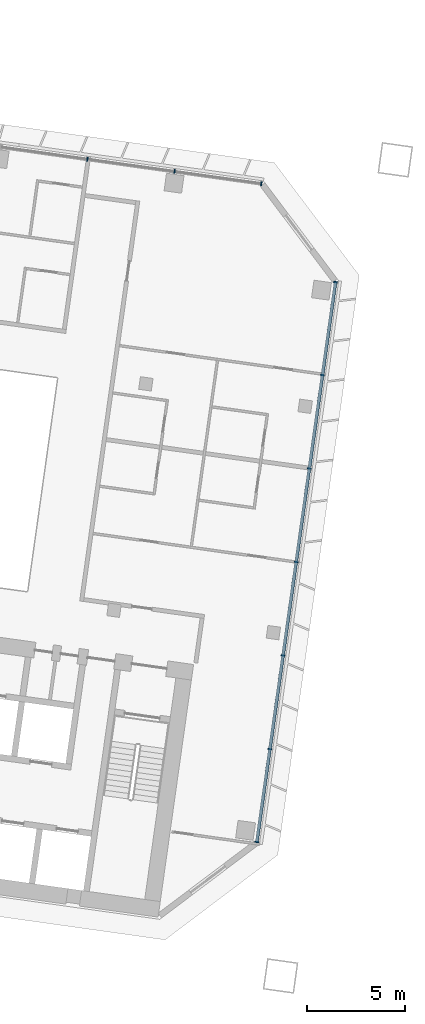
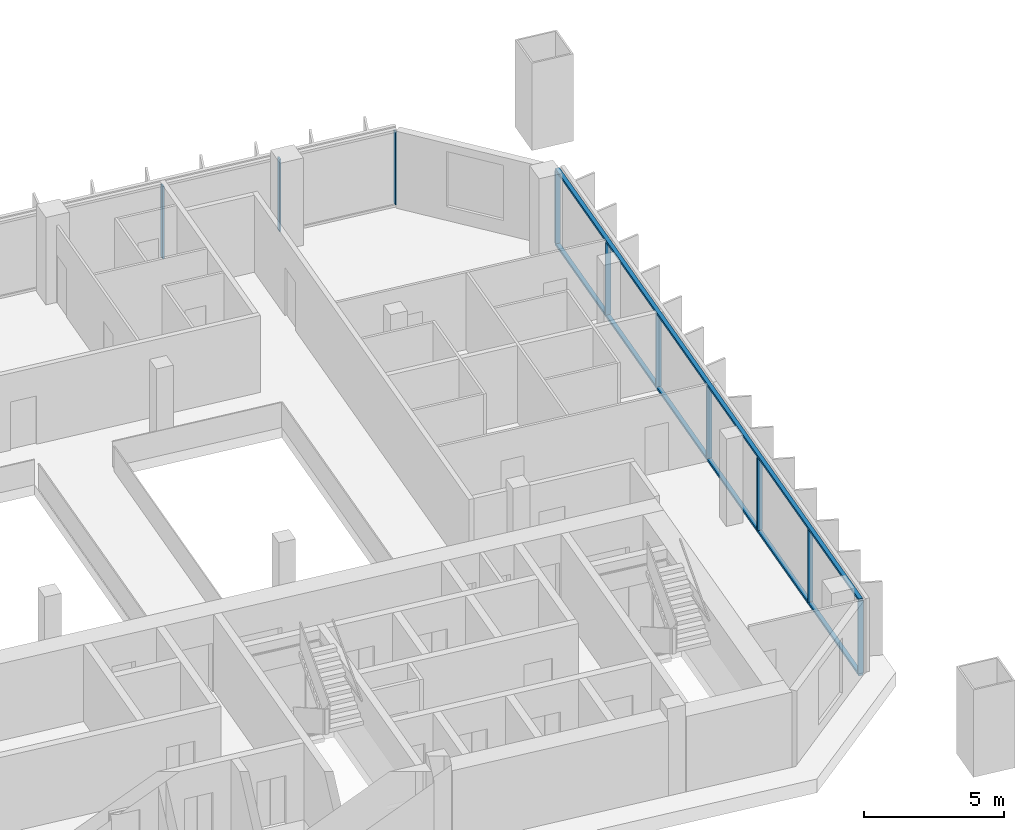
# One storey, part 9 of 33: 12 members, 2 elements without a shape of their own.
"""IFC4 building model written with IfcOpenShell, lengths in metres."""

from ifc_helpers import new_model, si_unit, direction, frame, origin, origin_2d, place, context, subcontext, project, spatial, rectangle, extrude, material, material_profile, profile_set, type_object, element, aggregate, save


model = new_model("IFC4")

# Units and contexts
model_context = context("Model", 3, precision=1e-05, world=origin(), true_north=direction((0.0, 1.0)))
body_context = subcontext(model_context, "Body", "Model", "MODEL_VIEW")
ifc_project = project(units=[si_unit("LENGTHUNIT", "METRE"), si_unit("AREAUNIT", "SQUARE_METRE"), si_unit("VOLUMEUNIT", "CUBIC_METRE"), si_unit("PLANEANGLEUNIT", "RADIAN"), si_unit("MASSUNIT", "GRAM", prefix="KILO")], contexts=[model_context])

# Site, building, storey
site_placement = place(None, origin())
site = spatial("IfcSite", under=ifc_project, at=site_placement, CompositionType="ELEMENT")
building_placement = place(site_placement, origin())
building = spatial("IfcBuilding", under=site, at=building_placement, Name="Mirante Cascada Hotel Towers", CompositionType="ELEMENT")
storey_placement = place(building_placement, frame((0.0, 0.0, 121.5)))
storey = spatial("IfcBuildingStorey", under=building, at=storey_placement, Name="L27", CompositionType="ELEMENT", Elevation=121.5)

# Curtain wall, members
ifc_material_1 = material(Name="Aluminium mullion and transom frame with clear laminated glass", Category="aluminium")
curtain_wall_type_1 = type_object("IfcCurtainWallType", Name="Ribbon curtain wall ECW1", PredefinedType="NOTDEFINED", material=ifc_material_1)
curtain_wall_1_placement = place(storey_placement, origin())
curtain_wall_1 = element("IfcCurtainWall", 1, at=curtain_wall_1_placement, inside=storey, type_object=curtain_wall_type_1, Name="Front ribbon wall T1 L27", PredefinedType="NOTDEFINED")
ifc_material_2 = material(Name="Anodised aluminium extrusion", Category="aluminium")
ifc_material_profile_1 = material_profile(ifc_material_2, rectangle(XDim=0.2, YDim=0.065, at=origin_2d()), Name="ECW1 MULLION 65x200")
ifc_profile_set_1 = profile_set([ifc_material_profile_1], Name="Anodised aluminium extrusion")
member_type_1 = type_object("IfcMemberType", Name="ECW1 mullion 65x200", PredefinedType="MULLION", material=ifc_profile_set_1)
member_1_placement = place(storey_placement, frame((-40.7892, 18.5516, 0.1), z_axis=(0.0, 0.0, 1.0), x_axis=(0.1391731, 0.9902681, 0.0)))
member_1 = element("IfcMember", 2, at=member_1_placement, type_object=member_type_1, Name="ECW1 mullion 13", PredefinedType="MULLION", context=body_context, shape_type="SweptSolid", body=[
    extrude(rectangle(XDim=0.2, YDim=0.065, at=origin_2d()), origin(), (0.0, 0.0, 1.0), 3.15),
])
member_2_placement = place(storey_placement, frame((-36.3417, 17.9265, 0.1), z_axis=(0.0, 0.0, 1.0), x_axis=(0.1391731, 0.9902681, 0.0)))
member_2 = element("IfcMember", 3, at=member_2_placement, type_object=member_type_1, Name="ECW1 mullion 14", PredefinedType="MULLION", context=body_context, shape_type="SweptSolid", body=[
    extrude(rectangle(XDim=0.2, YDim=0.065, at=origin_2d()), origin(), (0.0, 0.0, 1.0), 3.15),
])
member_3_placement = place(storey_placement, frame((-31.9265, 17.306, 0.1), z_axis=(0.0, 0.0, 1.0), x_axis=(0.1391731, 0.9902681, 0.0)))
member_3 = element("IfcMember", 4, at=member_3_placement, type_object=member_type_1, Name="ECW1 mullion 15", PredefinedType="MULLION", context=body_context, shape_type="SweptSolid", body=[
    extrude(rectangle(XDim=0.2, YDim=0.065, at=origin_2d()), origin(), (0.0, 0.0, 1.0), 3.15),
])
aggregate(curtain_wall_1, [member_1, member_2, member_3])

ifc_material_3 = material(Name="Aluminium mullion and transom frame with clear laminated glass", Category="aluminium")
curtain_wall_type_2 = type_object("IfcCurtainWallType", Name="End ribbon curtain wall ECW2", PredefinedType="NOTDEFINED", material=ifc_material_3)
curtain_wall_2_placement = place(storey_placement, origin())
curtain_wall_2 = element("IfcCurtainWall", 5, at=curtain_wall_2_placement, inside=storey, type_object=curtain_wall_type_2, Name="Inner end wall T1 L27", PredefinedType="NOTDEFINED")
ifc_material_4 = material(Name="Anodised aluminium extrusion", Category="aluminium")
ifc_material_profile_2 = material_profile(ifc_material_4, rectangle(XDim=0.2, YDim=0.065, at=origin_2d()), Name="ECW2 MULLION 65x200")
ifc_profile_set_2 = profile_set([ifc_material_profile_2], Name="Anodised aluminium extrusion")
member_type_2 = type_object("IfcMemberType", Name="ECW2 mullion 65x200", PredefinedType="MULLION", material=ifc_profile_set_2)
member_4_placement = place(storey_placement, frame((-28.1437, 12.2861, 0.1), z_axis=(0.0, 0.0, 1.0), x_axis=(0.9902681, -0.1391731, 0.0)))
member_4 = element("IfcMember", 6, at=member_4_placement, type_object=member_type_2, Name="ECW2 mullion 1", PredefinedType="MULLION", context=body_context, shape_type="SweptSolid", body=[
    extrude(rectangle(XDim=0.2, YDim=0.065, at=origin_2d()), origin(), (0.0, 0.0, 1.0), 3.15),
])
member_5_placement = place(storey_placement, frame((-28.809, 7.5524, 0.1), z_axis=(0.0, 0.0, 1.0), x_axis=(0.9902681, -0.1391731, 0.0)))
member_5 = element("IfcMember", 7, at=member_5_placement, type_object=member_type_2, Name="ECW2 mullion 2", PredefinedType="MULLION", context=body_context, shape_type="SweptSolid", body=[
    extrude(rectangle(XDim=0.2, YDim=0.065, at=origin_2d()), origin(), (0.0, 0.0, 1.0), 3.15),
])
member_6_placement = place(storey_placement, frame((-29.4788, 2.7867, 0.1), z_axis=(0.0, 0.0, 1.0), x_axis=(0.9902681, -0.1391731, 0.0)))
member_6 = element("IfcMember", 8, at=member_6_placement, type_object=member_type_2, Name="ECW2 mullion 3", PredefinedType="MULLION", context=body_context, shape_type="SweptSolid", body=[
    extrude(rectangle(XDim=0.2, YDim=0.065, at=origin_2d()), origin(), (0.0, 0.0, 1.0), 3.15),
])
member_7_placement = place(storey_placement, frame((-30.1485, -1.9791, 0.1), z_axis=(0.0, 0.0, 1.0), x_axis=(0.9902681, -0.1391731, 0.0)))
member_7 = element("IfcMember", 9, at=member_7_placement, type_object=member_type_2, Name="ECW2 mullion 4", PredefinedType="MULLION", context=body_context, shape_type="SweptSolid", body=[
    extrude(rectangle(XDim=0.2, YDim=0.065, at=origin_2d()), origin(), (0.0, 0.0, 1.0), 3.15),
])
member_8_placement = place(storey_placement, frame((-30.8183, -6.7449, 0.1), z_axis=(0.0, 0.0, 1.0), x_axis=(0.9902681, -0.1391731, 0.0)))
member_8 = element("IfcMember", 10, at=member_8_placement, type_object=member_type_2, Name="ECW2 mullion 5", PredefinedType="MULLION", context=body_context, shape_type="SweptSolid", body=[
    extrude(rectangle(XDim=0.2, YDim=0.065, at=origin_2d()), origin(), (0.0, 0.0, 1.0), 3.15),
])
member_9_placement = place(storey_placement, frame((-31.4881, -11.5107, 0.1), z_axis=(0.0, 0.0, 1.0), x_axis=(0.9902681, -0.1391731, 0.0)))
member_9 = element("IfcMember", 11, at=member_9_placement, type_object=member_type_2, Name="ECW2 mullion 6", PredefinedType="MULLION", context=body_context, shape_type="SweptSolid", body=[
    extrude(rectangle(XDim=0.2, YDim=0.065, at=origin_2d()), origin(), (0.0, 0.0, 1.0), 3.15),
])
member_10_placement = place(storey_placement, frame((-32.1534, -16.2443, 0.1), z_axis=(0.0, 0.0, 1.0), x_axis=(0.9902681, -0.1391731, 0.0)))
member_10 = element("IfcMember", 12, at=member_10_placement, type_object=member_type_2, Name="ECW2 mullion 7", PredefinedType="MULLION", context=body_context, shape_type="SweptSolid", body=[
    extrude(rectangle(XDim=0.2, YDim=0.065, at=origin_2d()), origin(), (0.0, 0.0, 1.0), 3.15),
])
ifc_material_5 = material(Name="Anodised aluminium extrusion", Category="aluminium")
ifc_material_profile_3 = material_profile(ifc_material_5, rectangle(XDim=0.16, YDim=0.1, at=origin_2d()), Name="ECW2 TRANSOM 100x160")
ifc_profile_set_3 = profile_set([ifc_material_profile_3], Name="Anodised aluminium extrusion")
member_type_3 = type_object("IfcMemberType", Name="ECW2 transom 100x160", PredefinedType="USERDEFINED", material=ifc_profile_set_3)
member_11_placement = place(storey_placement, frame((-28.1392, 12.3182, 0.05), z_axis=(-0.1391723, -0.9902682, 0.0), x_axis=(0.9902682, -0.1391723, 0.0)))
member_11 = element("IfcMember", 13, at=member_11_placement, type_object=member_type_3, Name="ECW2 sill transom", ObjectType="TRANSOM", PredefinedType="USERDEFINED", context=body_context, shape_type="SweptSolid", body=[
    extrude(rectangle(XDim=0.16, YDim=0.1, at=origin_2d()), origin(), (0.0, 0.0, 1.0), 28.8757),
])
member_12_placement = place(storey_placement, frame((-28.1392, 12.3182, 3.3), z_axis=(-0.1391723, -0.9902682, 0.0), x_axis=(0.9902682, -0.1391723, 0.0)))
member_12 = element("IfcMember", 14, at=member_12_placement, type_object=member_type_3, Name="ECW2 head transom", ObjectType="TRANSOM", PredefinedType="USERDEFINED", context=body_context, shape_type="SweptSolid", body=[
    extrude(rectangle(XDim=0.16, YDim=0.1, at=origin_2d()), origin(), (0.0, 0.0, 1.0), 28.8757),
])
aggregate(curtain_wall_2, [member_11, member_12, member_4, member_5, member_6, member_7, member_8, member_9, member_10])

save(model, "model.ifc")
